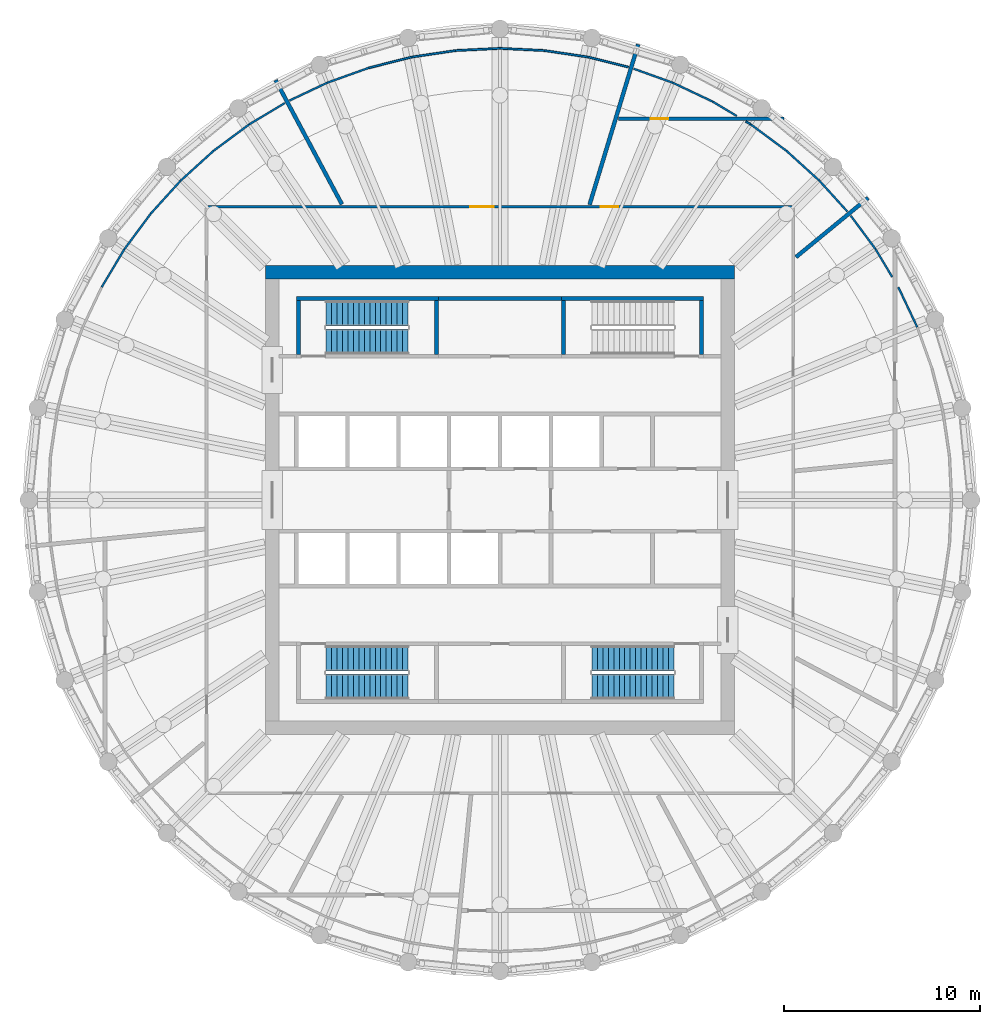
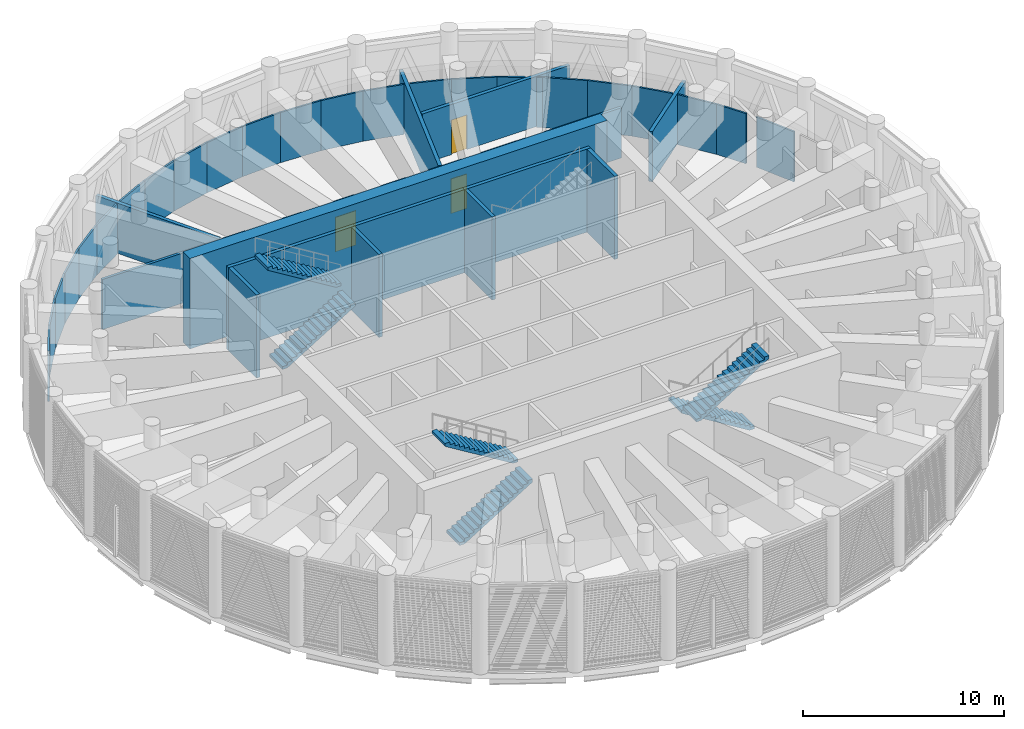
# One storey, part 8 of 19: 37 walls, 6 stair flights, 3 doors, 3 openings, 3 elements without a shape of their own.
"""IFC4 building model written with IfcOpenShell, lengths in metres."""

from ifc_helpers import new_model, si_unit, direction, frame, frame_2d, origin, place, context, subcontext, project, spatial, polyline, rectangle, outline, extrude, material, layer, layer_set, type_object, element, fill, aggregate, save


model = new_model("IFC4")

# Units and contexts
model_context = context("Model", 3, precision=1e-05, world=origin(), true_north=direction((0.0, 1.0)))
body_context = subcontext(model_context, "Body", "Model", "MODEL_VIEW")
ifc_project = project(units=[si_unit("LENGTHUNIT", "METRE"), si_unit("AREAUNIT", "SQUARE_METRE"), si_unit("VOLUMEUNIT", "CUBIC_METRE"), si_unit("PLANEANGLEUNIT", "RADIAN"), si_unit("MASSUNIT", "GRAM", prefix="KILO")], contexts=[model_context])

# Site, building, storey
site_placement = place(None, origin())
site = spatial("IfcSite", under=ifc_project, at=site_placement, CompositionType="ELEMENT")
building_placement = place(site_placement, origin())
building = spatial("IfcBuilding", under=site, at=building_placement, Name="Corvane Civic Tower", CompositionType="ELEMENT")
storey_placement = place(building_placement, frame((0.0, 0.0, 319.0)))
storey = spatial("IfcBuildingStorey", under=building, at=storey_placement, Name="L76", CompositionType="ELEMENT", Elevation=319.0)

# Walls
ifc_material_1 = material(Name="Concrete C40/50", Category="concrete")
ifc_layer_1 = layer(ifc_material_1, 0.699951171875)
ifc_layer_set_1 = layer_set([ifc_layer_1], Name="Concrete C40/50")
wall_type_1 = type_object("IfcWallType", Name="CORE WALL 700 C40/50", PredefinedType="SHEAR", material=ifc_layer_set_1)
wall_1_placement = place(storey_placement, frame((-12.0, 11.64990234375, 0.0), z_axis=(0.0, 0.0, 1.0), x_axis=(1.0, 0.0, 0.0)))
element("IfcWall", 1, at=wall_1_placement, inside=storey, type_object=wall_type_1, Name="W-L76-core-N", PredefinedType="SHEAR", context=body_context, shape_type="SweptSolid", body=[
    extrude(rectangle(XDim=24.0, YDim=0.699951171875, at=frame_2d((12.0, 0.0))), origin(), (0.0, 0.0, 1.0), 5.5),
])
ifc_material_2 = material(Name="Concrete C30/37", Category="concrete")
ifc_layer_2 = layer(ifc_material_2, 0.199951171875)
ifc_layer_set_2 = layer_set([ifc_layer_2], Name="Concrete C30/37")
wall_type_2 = type_object("IfcWallType", Name="CR-WALL-200", PredefinedType="PARTITIONING", material=ifc_layer_set_2)
wall_2_placement = place(storey_placement, origin())
element("IfcWall", 2, at=wall_2_placement, inside=storey, type_object=wall_type_2, Name="L76 core partition wall", PredefinedType="PARTITIONING", context=body_context, shape_type="SweptSolid", body=[
    extrude(outline(polyline([(-3.14990234375, 10.199951171875), (-3.14990234375, 10.39990234375), (3.14990234375, 10.39990234375), (3.14990234375, 10.199951171875), (-3.14990234375, 10.199951171875)])), origin(), (0.0, 0.0, 1.0), 5.050048828125),
])
ifc_material_3 = material(Name="Plasterboard")
ifc_layer_3 = layer(ifc_material_3, 0.10009765625)
ifc_layer_set_3 = layer_set([ifc_layer_3], Name="Plasterboard")
wall_type_3 = type_object("IfcWallType", Name="Partition 100 plasterboard on studs", PredefinedType="PARTITIONING", material=ifc_layer_set_3)
wall_3_placement = place(storey_placement, frame((20.37109375, 10.888671875, 0.0), z_axis=(0.0, 0.0, 1.0), x_axis=(0.427637258426, -0.903950427405, 0.0)))
element("IfcWall", 3, at=wall_3_placement, inside=storey, type_object=wall_type_3, Name="Partition L76.029", PredefinedType="PARTITIONING", context=body_context, shape_type="SweptSolid", body=[
    extrude(rectangle(XDim=2.26708984375, YDim=0.10009765625, at=frame_2d((1.133544921875, 0.0))), origin(), (0.0, 0.0, 1.0), 3.050048828125),
])
wall_4_placement = place(storey_placement, frame((19.2060546875, 12.8330078125, 0.0), z_axis=(0.0, 0.0, 1.0), x_axis=(0.514041857698, -0.857765101024, 0.0)))
element("IfcWall", 4, at=wall_4_placement, inside=storey, type_object=wall_type_3, Name="Partition L76.031", PredefinedType="PARTITIONING", context=body_context, shape_type="SweptSolid", body=[
    extrude(rectangle(XDim=1.661376953125, YDim=0.10009765625, at=frame_2d((0.83056640625, 0.0))), origin(), (0.0, 0.0, 1.0), 3.050048828125),
])
wall_5_placement = place(storey_placement, frame((17.939208984375, 14.541015625, 0.0), z_axis=(0.0, 0.0, 1.0), x_axis=(0.595729877063, -0.803184856415, 0.0)))
element("IfcWall", 5, at=wall_5_placement, inside=storey, type_object=wall_type_3, Name="Partition L76.033", PredefinedType="PARTITIONING", context=body_context, shape_type="SweptSolid", body=[
    extrude(rectangle(XDim=2.12646484375, YDim=0.10009765625, at=frame_2d((1.063232421875, 0.0))), origin(), (0.0, 0.0, 1.0), 3.050048828125),
])
wall_6_placement = place(storey_placement, frame((16.333251953125, 16.333251953125, 0.0), z_axis=(0.0, 0.0, 1.0), x_axis=(0.67158639443, -0.740926254641, 0.0)))
element("IfcWall", 6, at=wall_6_placement, inside=storey, type_object=wall_type_3, Name="Partition L76.035", PredefinedType="PARTITIONING", context=body_context, shape_type="SweptSolid", body=[
    extrude(rectangle(XDim=2.126708984375, YDim=0.10009765625, at=frame_2d((1.0634765625, 0.0))), origin(), (0.0, 0.0, 1.0), 3.050048828125),
])
wall_7_placement = place(storey_placement, frame((14.653564453125, 17.855712890625, 0.0), z_axis=(0.0, 0.0, 1.0), x_axis=(0.740933362026, -0.671578553139, 0.0)))
element("IfcWall", 7, at=wall_7_placement, inside=storey, type_object=wall_type_3, Name="Partition L76.037", PredefinedType="PARTITIONING", context=body_context, shape_type="SweptSolid", body=[
    extrude(rectangle(XDim=2.26708984375, YDim=0.10009765625, at=frame_2d((1.133544921875, 0.0))), origin(), (0.0, 0.0, 1.0), 3.050048828125),
])
wall_8_placement = place(storey_placement, frame((12.8330078125, 19.2060546875, 0.0), z_axis=(0.0, 0.0, 1.0), x_axis=(0.803181151022, -0.595734872778, 0.0)))
element("IfcWall", 8, at=wall_8_placement, inside=storey, type_object=wall_type_3, Name="Partition L76.039", PredefinedType="PARTITIONING", context=body_context, shape_type="SweptSolid", body=[
    extrude(rectangle(XDim=2.2666015625, YDim=0.10009765625, at=frame_2d((1.13330078125, 0.0))), origin(), (0.0, 0.0, 1.0), 3.050048828125),
])
wall_9_placement = place(storey_placement, frame((12.575927734375, 19.360107421875, 0.0), z_axis=(0.0, 0.0, 1.0), x_axis=(0.857780299887, -0.514016494994, 0.0)))
element("IfcWall", 9, at=wall_9_placement, inside=storey, type_object=wall_type_3, Name="Partition L76.040", PredefinedType="PARTITIONING", context=body_context, shape_type="SweptSolid", body=[
    extrude(rectangle(XDim=0.2998046875, YDim=0.10009765625, at=frame_2d((0.14990234375, 0.0))), origin(), (0.0, 0.0, 1.0), 3.050048828125),
])
wall_10_placement = place(storey_placement, frame((10.888671875, 20.37109375, 0.0), z_axis=(0.0, 0.0, 1.0), x_axis=(0.857780515476, -0.514016135224, 0.0)))
element("IfcWall", 10, at=wall_10_placement, inside=storey, type_object=wall_type_3, Name="Partition L76.042", PredefinedType="PARTITIONING", context=body_context, shape_type="SweptSolid", body=[
    extrude(rectangle(XDim=1.422607421875, YDim=0.10009765625, at=frame_2d((0.71142578125, 0.0))), origin(), (0.0, 0.0, 1.0), 3.050048828125),
])
wall_11_placement = place(storey_placement, frame((8.83935546875, 21.340576171875, 0.0), z_axis=(0.0, 0.0, 1.0), x_axis=(0.903950427405, -0.427637258426, 0.0)))
element("IfcWall", 11, at=wall_11_placement, inside=storey, type_object=wall_type_3, Name="Partition L76.045", PredefinedType="PARTITIONING", context=body_context, shape_type="SweptSolid", body=[
    extrude(rectangle(XDim=2.26708984375, YDim=0.10009765625, at=frame_2d((1.133544921875, 0.0))), origin(), (0.0, 0.0, 1.0), 3.050048828125),
])
for number, where, z_axis, x_axis, name in (
    (12, (6.837158203125, 22.056884765625, 0.0), (0.0, 0.0, 1.0), (0.941557346612, -0.336852731979, 0.0), "Partition L76.047"),
    (13, (4.50634765625, 22.655029296875, 0.0), (0.0, 0.0, 1.0), (0.970014049384, -0.243048851053, 0.0), "Partition L76.048"),
):
    element("IfcWall", number, at=place(storey_placement, frame(where, z_axis=z_axis, x_axis=x_axis)), inside=storey, type_object=wall_type_3, Name=name, PredefinedType="PARTITIONING", context=body_context, shape_type="SweptSolid", body=[
        extrude(rectangle(XDim=2.12646484375, YDim=0.10009765625, at=frame_2d((1.063232421875, 0.0))), origin(), (0.0, 0.0, 1.0), 3.050048828125),
    ])
wall_12_placement = place(storey_placement, frame((2.26416015625, 22.987548828125, 0.0), z_axis=(0.0, 0.0, 1.0), x_axis=(0.989181476105, -0.146696991556, 0.0)))
element("IfcWall", 14, at=wall_12_placement, inside=storey, type_object=wall_type_3, Name="Partition L76.050", PredefinedType="PARTITIONING", context=body_context, shape_type="SweptSolid", body=[
    extrude(rectangle(XDim=2.2666015625, YDim=0.10009765625, at=frame_2d((1.13330078125, 0.0))), origin(), (0.0, 0.0, 1.0), 3.050048828125),
])
for number, where, z_axis, x_axis, name in (
    (15, (0.0, 23.0986328125, 0.0), (0.0, 0.0, 1.0), (0.998798633699, -0.04900295216, 0.0), "Partition L76.052"),
    (16, (-2.26416015625, 22.987548828125, 0.0), (0.0, 0.0, 1.0), (0.998798633699, 0.04900295216, 0.0), "Partition L76.055"),
):
    element("IfcWall", number, at=place(storey_placement, frame(where, z_axis=z_axis, x_axis=x_axis)), inside=storey, type_object=wall_type_3, Name=name, PredefinedType="PARTITIONING", context=body_context, shape_type="SweptSolid", body=[
        extrude(rectangle(XDim=2.266845703125, YDim=0.10009765625, at=frame_2d((1.13330078125, 0.0))), origin(), (0.0, 0.0, 1.0), 3.050048828125),
    ])
wall_13_placement = place(storey_placement, frame((-4.50634765625, 22.655029296875, 0.0), z_axis=(0.0, 0.0, 1.0), x_axis=(0.989181476105, 0.146696991556, 0.0)))
element("IfcWall", 17, at=wall_13_placement, inside=storey, type_object=wall_type_3, Name="Partition L76.057", PredefinedType="PARTITIONING", context=body_context, shape_type="SweptSolid", body=[
    extrude(rectangle(XDim=2.2666015625, YDim=0.10009765625, at=frame_2d((1.13330078125, 0.0))), origin(), (0.0, 0.0, 1.0), 3.050048828125),
])
wall_14_placement = place(storey_placement, frame((-6.705078125, 22.10400390625, 0.0), z_axis=(0.0, 0.0, 1.0), x_axis=(0.970002955311, 0.243093123489, 0.0)))
element("IfcWall", 18, at=wall_14_placement, inside=storey, type_object=wall_type_3, Name="Partition L76.059", PredefinedType="PARTITIONING", context=body_context, shape_type="SweptSolid", body=[
    extrude(rectangle(XDim=2.266845703125, YDim=0.10009765625, at=frame_2d((1.13330078125, 0.0))), origin(), (0.0, 0.0, 1.0), 3.050048828125),
])
wall_15_placement = place(storey_placement, frame((-8.83935546875, 21.340576171875, 0.0), z_axis=(0.0, 0.0, 1.0), x_axis=(0.941576093962, 0.336800325534, 0.0)))
element("IfcWall", 19, at=wall_15_placement, inside=storey, type_object=wall_type_3, Name="Partition L76.061", PredefinedType="PARTITIONING", context=body_context, shape_type="SweptSolid", body=[
    extrude(rectangle(XDim=2.2666015625, YDim=0.10009765625, at=frame_2d((1.13330078125, 0.0))), origin(), (0.0, 0.0, 1.0), 3.050048828125),
])
wall_16_placement = place(storey_placement, frame((-10.761962890625, 20.43115234375, 0.0), z_axis=(0.0, 0.0, 1.0), x_axis=(0.903971439527, 0.427592839649, 0.0)))
element("IfcWall", 20, at=wall_16_placement, inside=storey, type_object=wall_type_3, Name="Partition L76.063", PredefinedType="PARTITIONING", context=body_context, shape_type="SweptSolid", body=[
    extrude(rectangle(XDim=2.126953125, YDim=0.10009765625, at=frame_2d((1.0634765625, 0.0))), origin(), (0.0, 0.0, 1.0), 3.050048828125),
])
wall_17_placement = place(storey_placement, frame((-12.8330078125, 19.2060546875, 0.0), z_axis=(0.0, 0.0, 1.0), x_axis=(0.857756169045, 0.514056761909, 0.0)))
element("IfcWall", 21, at=wall_17_placement, inside=storey, type_object=wall_type_3, Name="Partition L76.066", PredefinedType="PARTITIONING", context=body_context, shape_type="SweptSolid", body=[
    extrude(rectangle(XDim=2.126708984375, YDim=0.10009765625, at=frame_2d((1.0634765625, 0.0))), origin(), (0.0, 0.0, 1.0), 3.050048828125),
])
wall_18_placement = place(storey_placement, frame((-14.653564453125, 17.855712890625, 0.0), z_axis=(0.0, 0.0, 1.0), x_axis=(0.803181151022, 0.595734872778, 0.0)))
element("IfcWall", 22, at=wall_18_placement, inside=storey, type_object=wall_type_3, Name="Partition L76.068", PredefinedType="PARTITIONING", context=body_context, shape_type="SweptSolid", body=[
    extrude(rectangle(XDim=2.2666015625, YDim=0.10009765625, at=frame_2d((1.13330078125, 0.0))), origin(), (0.0, 0.0, 1.0), 3.050048828125),
])
for number, where, z_axis, x_axis, name in (
    (23, (-16.333251953125, 16.333251953125, 0.0), (0.0, 0.0, 1.0), (0.740933362026, 0.671578553139, 0.0), "Partition L76.070"),
    (24, (-17.855712890625, 14.653564453125, 0.0), (0.0, 0.0, 1.0), (0.671578553139, 0.740933362026, 0.0), "Partition L76.072"),
):
    element("IfcWall", number, at=place(storey_placement, frame(where, z_axis=z_axis, x_axis=x_axis)), inside=storey, type_object=wall_type_3, Name=name, PredefinedType="PARTITIONING", context=body_context, shape_type="SweptSolid", body=[
        extrude(rectangle(XDim=2.26708984375, YDim=0.10009765625, at=frame_2d((1.133544921875, 0.0))), origin(), (0.0, 0.0, 1.0), 3.050048828125),
    ])
for number, where, z_axis, x_axis, name in (
    (25, (-19.2060546875, 12.8330078125, 0.0), (0.0, 0.0, 1.0), (0.595734872778, 0.803181151022, 0.0), "Partition L76.074"),
    (26, (-20.37109375, 10.888671875, 0.0), (0.0, 0.0, 1.0), (0.513988798232, 0.857796896294, 0.0), "Partition L76.076"),
):
    element("IfcWall", number, at=place(storey_placement, frame(where, z_axis=z_axis, x_axis=x_axis)), inside=storey, type_object=wall_type_3, Name=name, PredefinedType="PARTITIONING", context=body_context, shape_type="SweptSolid", body=[
        extrude(rectangle(XDim=2.2666015625, YDim=0.10009765625, at=frame_2d((1.13330078125, 0.0))), origin(), (0.0, 0.0, 1.0), 3.050048828125),
    ])
ifc_material_4 = material(Name="Gypsum fibreboard")
ifc_layer_4 = layer(ifc_material_4, 0.199951171875)
ifc_layer_set_4 = layer_set([ifc_layer_4], Name="Gypsum fibreboard")
wall_type_4 = type_object("IfcWallType", Name="Plant and refuge wall 200 EI 120", PredefinedType="PARTITIONING", material=ifc_layer_set_4)
wall_19_placement = place(storey_placement, frame((15.138427734375, 12.423828125, 0.0), z_axis=(0.0, 0.0, 1.0), x_axis=(0.773027641889, 0.634372339305, 0.0)))
element("IfcWall", 27, at=wall_19_placement, inside=storey, type_object=wall_type_4, Name="Partition L76.015", PredefinedType="PARTITIONING", context=body_context, shape_type="SweptSolid", body=[
    extrude(rectangle(XDim=4.766357421875, YDim=0.199951171875, at=frame_2d((2.38330078125, 0.0))), origin(), (0.0, 0.0, 1.0), 3.050048828125),
])
wall_20_placement = place(storey_placement, frame((4.581787109375, 15.10400390625, 0.0), z_axis=(0.0, 0.0, 1.0), x_axis=(0.290290550696, 0.956938554023, 0.0)))
element("IfcWall", 28, at=wall_20_placement, inside=storey, type_object=wall_type_4, Name="Partition L76.017", PredefinedType="PARTITIONING", context=body_context, shape_type="SweptSolid", body=[
    extrude(rectangle(XDim=8.566650390625, YDim=0.199951171875, at=frame_2d((4.283203125, 0.0))), origin(), (0.0, 0.0, 1.0), 3.050048828125),
])
wall_21_placement = place(storey_placement, frame((-11.478515625, 21.47509765625, 0.0), z_axis=(0.0, 0.0, 1.0), x_axis=(0.471369090084, -0.881936041283, 0.0)))
element("IfcWall", 29, at=wall_21_placement, inside=storey, type_object=wall_type_4, Name="Partition L76.018", PredefinedType="PARTITIONING", context=body_context, shape_type="SweptSolid", body=[
    extrude(rectangle(XDim=7.20361328125, YDim=0.199951171875, at=frame_2d((3.601806640625, 0.0))), origin(), (0.0, 0.0, 1.0), 3.050048828125),
])

# Wall, opening, door
wall_22_placement = place(storey_placement, frame((6.050048828125, 19.5, 0.0), z_axis=(0.0, 0.0, 1.0), x_axis=(1.0, 0.0, 0.0)))
wall_22 = element("IfcWall", 30, at=wall_22_placement, inside=storey, type_object=wall_type_4, Name="Partition L76.019", PredefinedType="PARTITIONING", context=body_context, shape_type="SweptSolid", body=[
    extrude(rectangle(XDim=8.48486328125, YDim=0.199951171875, at=frame_2d((4.242431640625, 0.0))), origin(), (0.0, 0.0, 1.0), 3.050048828125),
])
opening_1_placement = place(wall_22_placement, frame((1.66796875, 0.0, 0.0)))
opening_1 = element("IfcOpeningElement", 31, at=opening_1_placement, cuts=wall_22, Name="Opening L76.011", PredefinedType="OPENING", context=body_context, shape_type="SweptSolid", body=[
    extrude(rectangle(XDim=0.89990234375, YDim=2.10009765625, at=frame_2d((0.449951171875, 1.050048828125))), frame((0.0, 0.10986328125, 0.0), z_axis=(0.0, -1.0, 0.0), x_axis=(1.0, 0.0, 0.0)), (0.0, 0.0, 1.0), 0.219970703125),
])
ifc_material_5 = material(Name="Steel and timber", Category="steel")
door_type_1 = type_object("IfcDoorType", Name="Fire door FD30S 900", OperationType="NOTDEFINED", PredefinedType="DOOR", material=ifc_material_5)
door_1_placement = place(opening_1_placement, origin())
door_1 = element("IfcDoor", 32, at=door_1_placement, inside=storey, type_object=door_type_1, Name="Door L76.011", OperationType="SINGLE_SWING_RIGHT", OverallHeight=2.10009765625, OverallWidth=0.89990234375, PredefinedType="DOOR", context=body_context, shape_type="SweptSolid", body=[
    extrude(rectangle(XDim=0.89990234375, YDim=2.10009765625, at=frame_2d((0.449951171875, 1.050048828125))), frame((0.0, 0.02490234375, 0.0), z_axis=(0.0, -1.0, 0.0), x_axis=(1.0, 0.0, 0.0)), (0.0, 0.0, 1.0), 0.050048828125),
])
fill(opening_1, door_1)

# Walls
ifc_material_6 = material(Name="Concrete C50/60", Category="concrete")
ifc_layer_5 = layer(ifc_material_6, 0.199951171875)
ifc_layer_set_5 = layer_set([ifc_layer_5], Name="Concrete C50/60")
wall_type_5 = type_object("IfcWallType", Name="ST-WALL-200", PredefinedType="SHEAR", material=ifc_layer_set_5)
wall_23_placement = place(storey_placement, origin())
element("IfcWall", 33, at=wall_23_placement, inside=storey, type_object=wall_type_5, Name="L76 stair enclosure wall", PredefinedType="SHEAR", context=body_context, shape_type="SweptSolid", body=[
    extrude(outline(polyline([(-3.14990234375, 10.199951171875), (-10.39990234375, 10.199951171875), (-10.39990234375, 10.39990234375), (-3.14990234375, 10.39990234375), (-3.14990234375, 10.199951171875)])), origin(), (0.0, 0.0, 1.0), 5.050048828125),
])
wall_24_placement = place(storey_placement, origin())
element("IfcWall", 34, at=wall_24_placement, inside=storey, type_object=wall_type_5, Name="L76 stair enclosure wall", PredefinedType="SHEAR", context=body_context, shape_type="SweptSolid", body=[
    extrude(outline(polyline([(10.39990234375, 10.199951171875), (3.14990234375, 10.199951171875), (3.14990234375, 10.39990234375), (10.39990234375, 10.39990234375), (10.39990234375, 10.199951171875)])), origin(), (0.0, 0.0, 1.0), 5.050048828125),
])
wall_25_placement = place(storey_placement, origin())
element("IfcWall", 35, at=wall_25_placement, inside=storey, type_object=wall_type_5, Name="L76 stair enclosure wall", PredefinedType="SHEAR", context=body_context, shape_type="SweptSolid", body=[
    extrude(outline(polyline([(-3.14990234375, 7.449951171875), (-3.35009765625, 7.449951171875), (-3.35009765625, 10.199951171875), (-3.14990234375, 10.199951171875), (-3.14990234375, 7.449951171875)])), origin(), (0.0, 0.0, 1.0), 5.050048828125),
])
wall_26_placement = place(storey_placement, origin())
element("IfcWall", 36, at=wall_26_placement, inside=storey, type_object=wall_type_5, Name="L76 stair enclosure wall", PredefinedType="SHEAR", context=body_context, shape_type="SweptSolid", body=[
    extrude(outline(polyline([(3.35009765625, 7.449951171875), (3.14990234375, 7.449951171875), (3.14990234375, 10.199951171875), (3.35009765625, 10.199951171875), (3.35009765625, 7.449951171875)])), origin(), (0.0, 0.0, 1.0), 5.050048828125),
])
wall_27_placement = place(storey_placement, origin())
element("IfcWall", 37, at=wall_27_placement, inside=storey, type_object=wall_type_5, Name="L76 stair enclosure wall", PredefinedType="SHEAR", context=body_context, shape_type="SweptSolid", body=[
    extrude(outline(polyline([(-10.199951171875, 7.449951171875), (-10.39990234375, 7.449951171875), (-10.39990234375, 10.199951171875), (-10.199951171875, 10.199951171875), (-10.199951171875, 7.449951171875)])), origin(), (0.0, 0.0, 1.0), 5.050048828125),
])
wall_28_placement = place(storey_placement, origin())
element("IfcWall", 38, at=wall_28_placement, inside=storey, type_object=wall_type_5, Name="L76 stair enclosure wall", PredefinedType="SHEAR", context=body_context, shape_type="SweptSolid", body=[
    extrude(outline(polyline([(10.39990234375, 7.449951171875), (10.199951171875, 7.449951171875), (10.199951171875, 10.199951171875), (10.39990234375, 10.199951171875), (10.39990234375, 7.449951171875)])), origin(), (0.0, 0.0, 1.0), 5.050048828125),
])

# Wall, openings, doors
ifc_material_7 = material(Name="Plasterboard")
ifc_layer_6 = layer(ifc_material_7, 0.14990234375)
ifc_layer_set_6 = layer_set([ifc_layer_6], Name="Plasterboard")
wall_type_6 = type_object("IfcWallType", Name="Tenancy wall 150 EI 60", PredefinedType="PARTITIONING", material=ifc_layer_set_6)
wall_29_placement = place(storey_placement, frame((-14.925048828125, 15.0, 0.0), z_axis=(0.0, 0.0, 1.0), x_axis=(1.0, 0.0, 0.0)))
wall_29 = element("IfcWall", 39, at=wall_29_placement, inside=storey, type_object=wall_type_6, Name="Partition L76.016", PredefinedType="PARTITIONING", context=body_context, shape_type="SweptSolid", body=[
    extrude(rectangle(XDim=29.85009765625, YDim=0.14990234375, at=frame_2d((14.925048828125, 0.0))), origin(), (0.0, 0.0, 1.0), 3.050048828125),
])
opening_2_placement = place(wall_29_placement, frame((13.410888671875, 0.0, 0.0)))
opening_2 = element("IfcOpeningElement", 40, at=opening_2_placement, cuts=wall_29, Name="Opening L76.010", PredefinedType="OPENING", context=body_context, shape_type="SweptSolid", body=[
    extrude(rectangle(XDim=1.199951171875, YDim=2.10009765625, at=frame_2d((0.60009765625, 1.050048828125))), frame((0.0, 0.0849609375, 0.0), z_axis=(0.0, -1.0, 0.0), x_axis=(1.0, 0.0, 0.0)), (0.0, 0.0, 1.0), 0.169921875),
])
opening_3_placement = place(wall_29_placement, frame((20.06982421875, 0.0, 0.0)))
opening_3 = element("IfcOpeningElement", 41, at=opening_3_placement, cuts=wall_29, Name="Opening L76.012", PredefinedType="OPENING", context=body_context, shape_type="SweptSolid", body=[
    extrude(rectangle(XDim=0.89990234375, YDim=2.10009765625, at=frame_2d((0.449951171875, 1.050048828125))), frame((0.0, 0.0849609375, 0.0), z_axis=(0.0, -1.0, 0.0), x_axis=(1.0, 0.0, 0.0)), (0.0, 0.0, 1.0), 0.169921875),
])
door_2_placement = place(opening_3_placement, origin())
door_2 = element("IfcDoor", 42, at=door_2_placement, inside=storey, type_object=door_type_1, Name="Door L76.012", OperationType="SINGLE_SWING_LEFT", OverallHeight=2.10009765625, OverallWidth=0.89990234375, PredefinedType="DOOR", context=body_context, shape_type="SweptSolid", body=[
    extrude(rectangle(XDim=0.89990234375, YDim=2.10009765625, at=frame_2d((0.449951171875, 1.050048828125))), frame((0.0, 0.02490234375, 0.0), z_axis=(0.0, -1.0, 0.0), x_axis=(1.0, 0.0, 0.0)), (0.0, 0.0, 1.0), 0.050048828125),
])
fill(opening_3, door_2)
ifc_material_8 = material(Name="Steel and timber", Category="steel")
door_type_2 = type_object("IfcDoorType", Name="Fire door FD60 1200", OperationType="NOTDEFINED", PredefinedType="DOOR", material=ifc_material_8)
door_3_placement = place(opening_2_placement, origin())
door_3 = element("IfcDoor", 43, at=door_3_placement, inside=storey, type_object=door_type_2, Name="Door L76.010", OperationType="SINGLE_SWING_LEFT", OverallHeight=2.10009765625, OverallWidth=1.199951171875, PredefinedType="DOOR", context=body_context, shape_type="SweptSolid", body=[
    extrude(rectangle(XDim=1.199951171875, YDim=2.10009765625, at=frame_2d((0.60009765625, 1.050048828125))), frame((0.0, 0.02490234375, 0.0), z_axis=(0.0, -1.0, 0.0), x_axis=(1.0, 0.0, 0.0)), (0.0, 0.0, 1.0), 0.050048828125),
])
fill(opening_2, door_3)

# Stair, stair flights
ifc_material_9 = material(Name="Concrete C40/50", Category="concrete")
stair_type = type_object("IfcStairType", Name="ST-STAIR-HALFTURN", PredefinedType="HALF_TURN_STAIR", material=ifc_material_9)
stair_1_placement = place(storey_placement, origin())
stair_1 = element("IfcStair", 44, at=stair_1_placement, inside=storey, type_object=stair_type, Name="L76 Exit stair ST2", PredefinedType="HALF_TURN_STAIR")
ifc_material_10 = material(Name="Concrete C40/50", Category="concrete")
stair_flight_type = type_object("IfcStairFlightType", Name="ST-FLIGHT-RC", PredefinedType="STRAIGHT", material=ifc_material_10)
stair_flight_1_placement = place(storey_placement, frame((8.89990234375, -8.10009765625, 0.0), z_axis=(0.0, 0.0, 1.0), x_axis=(-1.0, 0.0, 0.0)))
stair_flight_1 = element("IfcStairFlight", 45, at=stair_flight_1_placement, type_object=stair_flight_type, Name="ST2 flight 1", NumberOfRisers=16, NumberOfTreads=15, PredefinedType="STRAIGHT", RiserHeight=0.171875, TreadLength=0.28, context=body_context, shape_type="SweptSolid", body=[
    extrude(outline(polyline([(0.0, 0.0), (0.0, 0.171875), (0.280029296875, 0.171875), (0.280029296875, 0.34375), (0.56005859375, 0.34375), (0.56005859375, 0.515625), (0.840087890625, 0.515625), (0.840087890625, 0.6875), (1.1201171875, 0.6875), (1.1201171875, 0.859375), (1.39990234375, 0.859375), (1.39990234375, 1.03125), (1.679931640625, 1.03125), (1.679931640625, 1.203125), (1.9599609375, 1.203125), (1.9599609375, 1.375), (2.239990234375, 1.375), (2.239990234375, 1.546875), (2.52001953125, 1.546875), (2.52001953125, 1.71875), (2.800048828125, 1.71875), (2.800048828125, 1.890625), (3.080078125, 1.890625), (3.080078125, 2.0625), (3.360107421875, 2.0625), (3.360107421875, 2.234375), (3.639892578125, 2.234375), (3.639892578125, 2.40625), (3.919921875, 2.40625), (3.919921875, 2.578125), (4.199951171875, 2.578125), (4.199951171875, 2.75), (4.199951171875, 2.40234375), (0.28662109375, 0.0), (0.0, 0.0)])), frame((0.0, 0.64990234375, 0.0), z_axis=(0.0, -1.0, 0.0), x_axis=(1.0, 0.0, 0.0)), (0.0, 0.0, 1.0), 1.300048828125),
])
stair_flight_2_placement = place(storey_placement, frame((4.699951171875, -9.550048828125, 2.75), z_axis=(0.0, 0.0, 1.0), x_axis=(1.0, 0.0, 0.0)))
stair_flight_2 = element("IfcStairFlight", 46, at=stair_flight_2_placement, type_object=stair_flight_type, Name="ST2 flight 2", NumberOfRisers=16, NumberOfTreads=15, PredefinedType="STRAIGHT", RiserHeight=0.171875, TreadLength=0.28, context=body_context, shape_type="SweptSolid", body=[
    extrude(outline(polyline([(0.0, 0.0), (0.0, 0.171875), (0.280029296875, 0.171875), (0.280029296875, 0.34375), (0.56005859375, 0.34375), (0.56005859375, 0.515625), (0.840087890625, 0.515625), (0.840087890625, 0.6875), (1.1201171875, 0.6875), (1.1201171875, 0.859375), (1.39990234375, 0.859375), (1.39990234375, 1.03125), (1.679931640625, 1.03125), (1.679931640625, 1.203125), (1.9599609375, 1.203125), (1.9599609375, 1.375), (2.239990234375, 1.375), (2.239990234375, 1.546875), (2.52001953125, 1.546875), (2.52001953125, 1.71875), (2.800048828125, 1.71875), (2.800048828125, 1.890625), (3.080078125, 1.890625), (3.080078125, 2.0625), (3.360107421875, 2.0625), (3.360107421875, 2.234375), (3.639892578125, 2.234375), (3.639892578125, 2.40625), (3.919921875, 2.40625), (3.919921875, 2.578125), (4.199951171875, 2.578125), (4.199951171875, 2.75), (4.199951171875, 2.40234375), (0.28662109375, 0.0), (0.0, 0.0)])), frame((0.0, 0.64990234375, 0.0), z_axis=(0.0, -1.0, 0.0), x_axis=(1.0, 0.0, 0.0)), (0.0, 0.0, 1.0), 1.300048828125),
])
aggregate(stair_1, [stair_flight_1, stair_flight_2])

stair_2_placement = place(storey_placement, origin())
stair_2 = element("IfcStair", 47, at=stair_2_placement, inside=storey, type_object=stair_type, Name="L76 Exit stair ST3", PredefinedType="HALF_TURN_STAIR")
stair_flight_3_placement = place(storey_placement, frame((-8.89990234375, -9.550048828125, 0.0), z_axis=(0.0, 0.0, 1.0), x_axis=(1.0, 0.0, 0.0)))
stair_flight_3 = element("IfcStairFlight", 48, at=stair_flight_3_placement, type_object=stair_flight_type, Name="ST3 flight 1", NumberOfRisers=16, NumberOfTreads=15, PredefinedType="STRAIGHT", RiserHeight=0.171875, TreadLength=0.28, context=body_context, shape_type="SweptSolid", body=[
    extrude(outline(polyline([(0.0, 0.0), (0.0, 0.171875), (0.280029296875, 0.171875), (0.280029296875, 0.34375), (0.56005859375, 0.34375), (0.56005859375, 0.515625), (0.840087890625, 0.515625), (0.840087890625, 0.6875), (1.1201171875, 0.6875), (1.1201171875, 0.859375), (1.39990234375, 0.859375), (1.39990234375, 1.03125), (1.679931640625, 1.03125), (1.679931640625, 1.203125), (1.9599609375, 1.203125), (1.9599609375, 1.375), (2.239990234375, 1.375), (2.239990234375, 1.546875), (2.52001953125, 1.546875), (2.52001953125, 1.71875), (2.800048828125, 1.71875), (2.800048828125, 1.890625), (3.080078125, 1.890625), (3.080078125, 2.0625), (3.360107421875, 2.0625), (3.360107421875, 2.234375), (3.639892578125, 2.234375), (3.639892578125, 2.40625), (3.919921875, 2.40625), (3.919921875, 2.578125), (4.199951171875, 2.578125), (4.199951171875, 2.75), (4.199951171875, 2.40234375), (0.28662109375, 0.0), (0.0, 0.0)])), frame((0.0, 0.64990234375, 0.0), z_axis=(0.0, -1.0, 0.0), x_axis=(1.0, 0.0, 0.0)), (0.0, 0.0, 1.0), 1.300048828125),
])
stair_flight_4_placement = place(storey_placement, frame((-4.699951171875, -8.10009765625, 2.75), z_axis=(0.0, 0.0, 1.0), x_axis=(-1.0, 0.0, 0.0)))
stair_flight_4 = element("IfcStairFlight", 49, at=stair_flight_4_placement, type_object=stair_flight_type, Name="ST3 flight 2", NumberOfRisers=16, NumberOfTreads=15, PredefinedType="STRAIGHT", RiserHeight=0.171875, TreadLength=0.28, context=body_context, shape_type="SweptSolid", body=[
    extrude(outline(polyline([(0.0, 0.0), (0.0, 0.171875), (0.280029296875, 0.171875), (0.280029296875, 0.34375), (0.56005859375, 0.34375), (0.56005859375, 0.515625), (0.840087890625, 0.515625), (0.840087890625, 0.6875), (1.1201171875, 0.6875), (1.1201171875, 0.859375), (1.39990234375, 0.859375), (1.39990234375, 1.03125), (1.679931640625, 1.03125), (1.679931640625, 1.203125), (1.9599609375, 1.203125), (1.9599609375, 1.375), (2.239990234375, 1.375), (2.239990234375, 1.546875), (2.52001953125, 1.546875), (2.52001953125, 1.71875), (2.800048828125, 1.71875), (2.800048828125, 1.890625), (3.080078125, 1.890625), (3.080078125, 2.0625), (3.360107421875, 2.0625), (3.360107421875, 2.234375), (3.639892578125, 2.234375), (3.639892578125, 2.40625), (3.919921875, 2.40625), (3.919921875, 2.578125), (4.199951171875, 2.578125), (4.199951171875, 2.75), (4.199951171875, 2.40234375), (0.28662109375, 0.0), (0.0, 0.0)])), frame((0.0, 0.64990234375, 0.0), z_axis=(0.0, -1.0, 0.0), x_axis=(1.0, 0.0, 0.0)), (0.0, 0.0, 1.0), 1.300048828125),
])
aggregate(stair_2, [stair_flight_3, stair_flight_4])

stair_3_placement = place(storey_placement, origin())
stair_3 = element("IfcStair", 50, at=stair_3_placement, inside=storey, type_object=stair_type, Name="L76 Exit stair ST4", PredefinedType="HALF_TURN_STAIR")
stair_flight_5_placement = place(storey_placement, frame((-8.89990234375, 8.10009765625, 0.0), z_axis=(0.0, 0.0, 1.0), x_axis=(1.0, 0.0, 0.0)))
stair_flight_5 = element("IfcStairFlight", 51, at=stair_flight_5_placement, type_object=stair_flight_type, Name="ST4 flight 1", NumberOfRisers=16, NumberOfTreads=15, PredefinedType="STRAIGHT", RiserHeight=0.171875, TreadLength=0.28, context=body_context, shape_type="SweptSolid", body=[
    extrude(outline(polyline([(0.0, 0.0), (0.0, 0.171875), (0.280029296875, 0.171875), (0.280029296875, 0.34375), (0.56005859375, 0.34375), (0.56005859375, 0.515625), (0.840087890625, 0.515625), (0.840087890625, 0.6875), (1.1201171875, 0.6875), (1.1201171875, 0.859375), (1.39990234375, 0.859375), (1.39990234375, 1.03125), (1.679931640625, 1.03125), (1.679931640625, 1.203125), (1.9599609375, 1.203125), (1.9599609375, 1.375), (2.239990234375, 1.375), (2.239990234375, 1.546875), (2.52001953125, 1.546875), (2.52001953125, 1.71875), (2.800048828125, 1.71875), (2.800048828125, 1.890625), (3.080078125, 1.890625), (3.080078125, 2.0625), (3.360107421875, 2.0625), (3.360107421875, 2.234375), (3.639892578125, 2.234375), (3.639892578125, 2.40625), (3.919921875, 2.40625), (3.919921875, 2.578125), (4.199951171875, 2.578125), (4.199951171875, 2.75), (4.199951171875, 2.40234375), (0.28662109375, 0.0), (0.0, 0.0)])), frame((0.0, 0.64990234375, 0.0), z_axis=(0.0, -1.0, 0.0), x_axis=(1.0, 0.0, 0.0)), (0.0, 0.0, 1.0), 1.300048828125),
])
stair_flight_6_placement = place(storey_placement, frame((-4.699951171875, 9.550048828125, 2.75), z_axis=(0.0, 0.0, 1.0), x_axis=(-1.0, 0.0, 0.0)))
stair_flight_6 = element("IfcStairFlight", 52, at=stair_flight_6_placement, type_object=stair_flight_type, Name="ST4 flight 2", NumberOfRisers=16, NumberOfTreads=15, PredefinedType="STRAIGHT", RiserHeight=0.171875, TreadLength=0.28, context=body_context, shape_type="SweptSolid", body=[
    extrude(outline(polyline([(0.0, 0.0), (0.0, 0.171875), (0.280029296875, 0.171875), (0.280029296875, 0.34375), (0.56005859375, 0.34375), (0.56005859375, 0.515625), (0.840087890625, 0.515625), (0.840087890625, 0.6875), (1.1201171875, 0.6875), (1.1201171875, 0.859375), (1.39990234375, 0.859375), (1.39990234375, 1.03125), (1.679931640625, 1.03125), (1.679931640625, 1.203125), (1.9599609375, 1.203125), (1.9599609375, 1.375), (2.239990234375, 1.375), (2.239990234375, 1.546875), (2.52001953125, 1.546875), (2.52001953125, 1.71875), (2.800048828125, 1.71875), (2.800048828125, 1.890625), (3.080078125, 1.890625), (3.080078125, 2.0625), (3.360107421875, 2.0625), (3.360107421875, 2.234375), (3.639892578125, 2.234375), (3.639892578125, 2.40625), (3.919921875, 2.40625), (3.919921875, 2.578125), (4.199951171875, 2.578125), (4.199951171875, 2.75), (4.199951171875, 2.40234375), (0.28662109375, 0.0), (0.0, 0.0)])), frame((0.0, 0.64990234375, 0.0), z_axis=(0.0, -1.0, 0.0), x_axis=(1.0, 0.0, 0.0)), (0.0, 0.0, 1.0), 1.300048828125),
])
aggregate(stair_3, [stair_flight_5, stair_flight_6])

save(model, "model.ifc")
